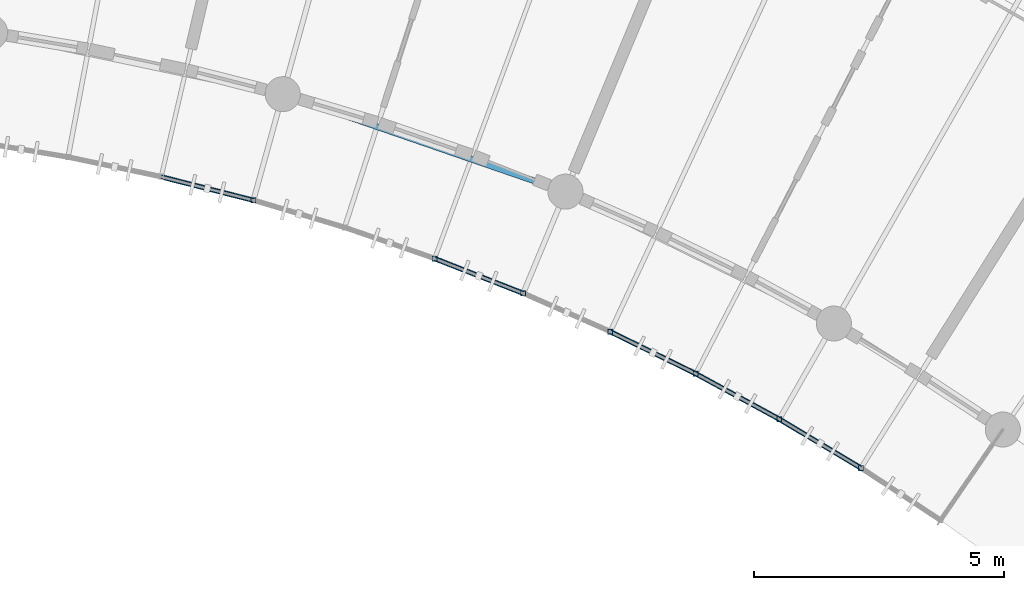
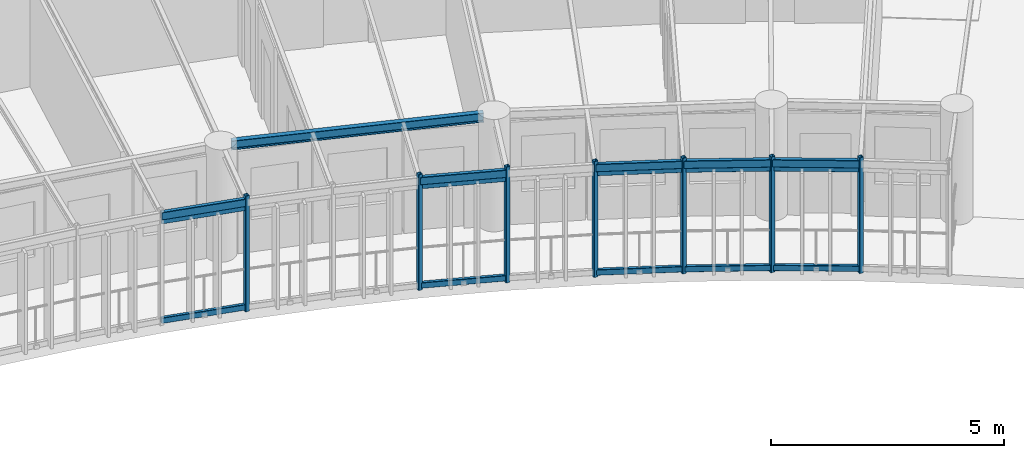
# One storey, part 64 of 137: 17 members, 6 beams.
"""IFC4 building model written with IfcOpenShell, lengths in metres."""

from ifc_helpers import new_model, si_unit, direction, frame, origin, origin_2d, place, context, subcontext, project, spatial, hollow_rectangle, i_section, extrude, material, material_profile, profile_set, type_object, element, save


model = new_model("IFC4")

# Units and contexts
model_context = context("Model", 3, precision=1e-05, world=origin(), true_north=direction((0.0, 1.0)))
body_context = subcontext(model_context, "Body", "Model", "MODEL_VIEW")
ifc_project = project(units=[si_unit("LENGTHUNIT", "METRE"), si_unit("AREAUNIT", "SQUARE_METRE"), si_unit("VOLUMEUNIT", "CUBIC_METRE"), si_unit("PLANEANGLEUNIT", "RADIAN"), si_unit("MASSUNIT", "GRAM", prefix="KILO"), si_unit("POWERUNIT", "WATT"), si_unit("THERMODYNAMICTEMPERATUREUNIT", "KELVIN")], contexts=[model_context])

# Site, building, storey
site_placement = place(None, origin())
site = spatial("IfcSite", under=ifc_project, at=site_placement, CompositionType="ELEMENT")
building_placement = place(site_placement, origin())
building = spatial("IfcBuilding", under=site, at=building_placement, Name="Ruvembo Vaulted Housing Court", CompositionType="ELEMENT")
storey_placement = place(building_placement, frame((0.0, 0.0, 4.5)))
storey = spatial("IfcBuildingStorey", under=building, at=storey_placement, Name="L01", CompositionType="ELEMENT", Elevation=4.5)

# Beams
ifc_material = material(Name="Steel S355J2", Category="steel")
ifc_material_profile_1 = material_profile(ifc_material, i_section(OverallWidth=0.1201171875, OverallDepth=0.239990234375, WebThickness=0.006103515625, FlangeThickness=0.009765625, FilletRadius=0.014892578125, at=origin_2d()), Name="IPE 240")
ifc_profile_set_1 = profile_set([ifc_material_profile_1], Name="Steel S355J2")
beam_type_1 = type_object("IfcBeamType", Name="BM-ST-IPE240", PredefinedType="BEAM", material=ifc_profile_set_1)
beam_placement = place(storey_placement, frame((130.01220703125, 96.188232421875, 2.822021484375), z_axis=(0.945373922745, -0.325987954063, 0.0), x_axis=(0.325987954063, 0.945373922745, 0.0)))
element("IfcBeam", 1, at=beam_placement, inside=storey, type_object=beam_type_1, Name="Scoop SC3 L01 Chord Girder F21", PredefinedType="BEAM", context=body_context, shape_type="SweptSolid", body=[
    extrude(i_section(OverallWidth=0.1201171875, OverallDepth=0.239990234375, WebThickness=0.006103515625, FlangeThickness=0.009765625, FilletRadius=0.014892578125, at=origin_2d()), origin(), (0.0, 0.0, 1.0), 5.513671875),
])
ifc_material_profile_2 = material_profile(ifc_material, hollow_rectangle(XDim=0.10009765625, YDim=0.199951171875, WallThickness=0.008056640625, InnerFilletRadius=0.008056640625, OuterFilletRadius=0.01611328125, at=origin_2d()), Name="RHS 200x100x8")
ifc_profile_set_2 = profile_set([ifc_material_profile_2], Name="Steel S355J2")
beam_type_2 = type_object("IfcBeamType", Name="BM-ST-RHS200", PredefinedType="SPANDREL", material=ifc_profile_set_2)
for number, where, z_axis, x_axis, name in (
    (2, (127.365966796875, 94.611572265625, 2.840087890625), (0.969121730429, -0.246582788553, 0.0), (0.246582788553, 0.969121730429, 0.0), "Scoop SC3 L01 Balcony Edge Spandrel 20"),
    (3, (132.826904296875, 92.978515625, 2.840087890625), (0.931005720133, -0.365004587752, 0.0), (0.365004587752, 0.931005720133, 0.0), "Scoop SC3 L01 Balcony Edge Spandrel 23"),
):
    element("IfcBeam", number, at=place(storey_placement, frame(where, z_axis=z_axis, x_axis=x_axis)), inside=storey, type_object=beam_type_2, Name=name, PredefinedType="SPANDREL", context=body_context, shape_type="SweptSolid", body=[
        extrude(hollow_rectangle(XDim=0.10009765625, YDim=0.199951171875, WallThickness=0.008056640625, InnerFilletRadius=0.008056640625, OuterFilletRadius=0.01611328125, at=origin_2d()), origin(), (0.0, 0.0, 1.0), 1.90087890625),
    ])
for number, where, z_axis, x_axis, name in (
    (4, (136.336181640625, 91.51806640625, 2.840087890625), (0.897513310314, -0.44098736695, 0.0), (0.44098736695, 0.897513310314, 0.0), "Scoop SC3 L01 Balcony Edge Spandrel 25"),
    (5, (138.04248046875, 90.6796875, 2.840087890625), (0.878513214386, -0.477718046706, 0.0), (0.477718046706, 0.878513214386, 0.0), "Scoop SC3 L01 Balcony Edge Spandrel 26"),
    (6, (139.712646484375, 89.771484375, 2.840087890625), (0.857889282303, -0.513834583607, 0.0), (0.513834583607, 0.857889282303, 0.0), "Scoop SC3 L01 Balcony Edge Spandrel 27"),
):
    element("IfcBeam", number, at=place(storey_placement, frame(where, z_axis=z_axis, x_axis=x_axis)), inside=storey, type_object=beam_type_2, Name=name, PredefinedType="SPANDREL", context=body_context, shape_type="SweptSolid", body=[
        extrude(hollow_rectangle(XDim=0.10009765625, YDim=0.199951171875, WallThickness=0.008056640625, InnerFilletRadius=0.008056640625, OuterFilletRadius=0.01611328125, at=origin_2d()), origin(), (0.0, 0.0, 1.0), 1.901123046875),
    ])

# Members
ifc_material_profile_3 = material_profile(ifc_material, hollow_rectangle(XDim=0.06005859375, YDim=0.1201171875, WallThickness=0.0048828125, InnerFilletRadius=0.0048828125, OuterFilletRadius=0.010009765625, at=origin_2d()), Name="RHS 120x60x5")
ifc_profile_set_3 = profile_set([ifc_material_profile_3], Name="Steel S355J2")
member_type_1 = type_object("IfcMemberType", Name="MEM-CAR-RHS120", PredefinedType="CHORD", material=ifc_profile_set_3)
for number, where, z_axis, x_axis, name in (
    (7, (127.365966796875, 94.611572265625, 2.68310546875), (0.969121730429, -0.246582788553, 0.0), (0.246582788553, 0.969121730429, 0.0), "Scoop SC3 L01 Upper Louvre Carrier Rail 20"),
    (8, (132.826904296875, 92.978515625, 2.68310546875), (0.931005720133, -0.365004587752, 0.0), (0.365004587752, 0.931005720133, 0.0), "Scoop SC3 L01 Upper Louvre Carrier Rail 23"),
):
    element("IfcMember", number, at=place(storey_placement, frame(where, z_axis=z_axis, x_axis=x_axis)), inside=storey, type_object=member_type_1, Name=name, PredefinedType="CHORD", context=body_context, shape_type="SweptSolid", body=[
        extrude(hollow_rectangle(XDim=0.06005859375, YDim=0.1201171875, WallThickness=0.0048828125, InnerFilletRadius=0.0048828125, OuterFilletRadius=0.010009765625, at=origin_2d()), origin(), (0.0, 0.0, 1.0), 1.90087890625),
    ])
for number, where, z_axis, x_axis, name in (
    (9, (136.336181640625, 91.51806640625, 2.68310546875), (0.897513310314, -0.44098736695, 0.0), (0.44098736695, 0.897513310314, 0.0), "Scoop SC3 L01 Upper Louvre Carrier Rail 25"),
    (10, (138.04248046875, 90.6796875, 2.68310546875), (0.878513214386, -0.477718046706, 0.0), (0.477718046706, 0.878513214386, 0.0), "Scoop SC3 L01 Upper Louvre Carrier Rail 26"),
    (11, (139.712646484375, 89.771484375, 2.68310546875), (0.857889282303, -0.513834583607, 0.0), (0.513834583607, 0.857889282303, 0.0), "Scoop SC3 L01 Upper Louvre Carrier Rail 27"),
):
    element("IfcMember", number, at=place(storey_placement, frame(where, z_axis=z_axis, x_axis=x_axis)), inside=storey, type_object=member_type_1, Name=name, PredefinedType="CHORD", context=body_context, shape_type="SweptSolid", body=[
        extrude(hollow_rectangle(XDim=0.06005859375, YDim=0.1201171875, WallThickness=0.0048828125, InnerFilletRadius=0.0048828125, OuterFilletRadius=0.010009765625, at=origin_2d()), origin(), (0.0, 0.0, 1.0), 1.901123046875),
    ])
ifc_material_profile_4 = material_profile(ifc_material, hollow_rectangle(XDim=0.080078125, YDim=0.14990234375, WallThickness=0.00634765625, InnerFilletRadius=0.00634765625, OuterFilletRadius=0.0126953125, at=origin_2d()), Name="RHS 150x80x6.3")
ifc_profile_set_4 = profile_set([ifc_material_profile_4], Name="Steel S355J2")
member_type_2 = type_object("IfcMemberType", Name="MEM-CAR-RHS150", PredefinedType="CHORD", material=ifc_profile_set_4)
for number, where, z_axis, x_axis, name in (
    (12, (127.365966796875, 94.611572265625, 0.094970703125), (0.969121730429, -0.246582788553, 0.0), (0.246582788553, 0.969121730429, 0.0), "Scoop SC3 L01 Lower Louvre Carrier Rail 20"),
    (13, (132.826904296875, 92.978515625, 0.094970703125), (0.931005720133, -0.365004587752, 0.0), (0.365004587752, 0.931005720133, 0.0), "Scoop SC3 L01 Lower Louvre Carrier Rail 23"),
):
    element("IfcMember", number, at=place(storey_placement, frame(where, z_axis=z_axis, x_axis=x_axis)), inside=storey, type_object=member_type_2, Name=name, PredefinedType="CHORD", context=body_context, shape_type="SweptSolid", body=[
        extrude(hollow_rectangle(XDim=0.080078125, YDim=0.14990234375, WallThickness=0.00634765625, InnerFilletRadius=0.00634765625, OuterFilletRadius=0.0126953125, at=origin_2d()), origin(), (0.0, 0.0, 1.0), 1.90087890625),
    ])
for number, where, z_axis, x_axis, name in (
    (14, (136.336181640625, 91.51806640625, 0.094970703125), (0.897513310314, -0.44098736695, 0.0), (0.44098736695, 0.897513310314, 0.0), "Scoop SC3 L01 Lower Louvre Carrier Rail 25"),
    (15, (138.04248046875, 90.6796875, 0.094970703125), (0.878513214386, -0.477718046706, 0.0), (0.477718046706, 0.878513214386, 0.0), "Scoop SC3 L01 Lower Louvre Carrier Rail 26"),
    (16, (139.712646484375, 89.771484375, 0.094970703125), (0.857889282303, -0.513834583607, 0.0), (0.513834583607, 0.857889282303, 0.0), "Scoop SC3 L01 Lower Louvre Carrier Rail 27"),
):
    element("IfcMember", number, at=place(storey_placement, frame(where, z_axis=z_axis, x_axis=x_axis)), inside=storey, type_object=member_type_2, Name=name, PredefinedType="CHORD", context=body_context, shape_type="SweptSolid", body=[
        extrude(hollow_rectangle(XDim=0.080078125, YDim=0.14990234375, WallThickness=0.00634765625, InnerFilletRadius=0.00634765625, OuterFilletRadius=0.0126953125, at=origin_2d()), origin(), (0.0, 0.0, 1.0), 1.901123046875),
    ])
ifc_material_profile_5 = material_profile(ifc_material, hollow_rectangle(XDim=0.10009765625, YDim=0.10009765625, WallThickness=0.00634765625, InnerFilletRadius=0.00634765625, OuterFilletRadius=0.0126953125, at=origin_2d()), Name="SHS 100x100x6.3")
ifc_profile_set_5 = profile_set([ifc_material_profile_5], Name="Steel S355J2")
member_type_3 = type_object("IfcMemberType", Name="MEM-FRM-SHS100", PredefinedType="STRUT", material=ifc_profile_set_5)
for number, where, z_axis, x_axis, name in (
    (17, (129.208251953125, 94.142822265625, -0.014892578125), (0.0, 0.0, 1.0), (1.0, 0.0, 0.0), "Scoop SC3 L01 Louvre Frame Post 21"),
    (18, (132.826904296875, 92.978515625, -0.014892578125), (0.0, 0.0, 1.0), (1.0, 0.0, 0.0), "Scoop SC3 L01 Louvre Frame Post 23"),
    (19, (134.5966796875, 92.28466796875, -0.014892578125), (0.0, 0.0, 1.0), (1.0, 0.0, 0.0), "Scoop SC3 L01 Louvre Frame Post 24"),
    (20, (136.336181640625, 91.51806640625, -0.014892578125), (0.0, 0.0, 1.0), (1.0, 0.0, 0.0), "Scoop SC3 L01 Louvre Frame Post 25"),
    (21, (138.04248046875, 90.6796875, -0.014892578125), (0.0, 0.0, 1.0), (1.0, 0.0, 0.0), "Scoop SC3 L01 Louvre Frame Post 26"),
    (22, (139.712646484375, 89.771484375, -0.014892578125), (0.0, 0.0, 1.0), (1.0, 0.0, 0.0), "Scoop SC3 L01 Louvre Frame Post 27"),
    (23, (141.343505859375, 88.794677734375, -0.014892578125), (0.0, 0.0, 1.0), (1.0, 0.0, 0.0), "Scoop SC3 L01 Louvre Frame Post 28"),
):
    element("IfcMember", number, at=place(storey_placement, frame(where, z_axis=z_axis, x_axis=x_axis)), inside=storey, type_object=member_type_3, Name=name, PredefinedType="STRUT", context=body_context, shape_type="SweptSolid", body=[
        extrude(hollow_rectangle(XDim=0.10009765625, YDim=0.10009765625, WallThickness=0.00634765625, InnerFilletRadius=0.00634765625, OuterFilletRadius=0.0126953125, at=origin_2d()), origin(), (0.0, 0.0, 1.0), 3.032958984375),
    ])

save(model, "model.ifc")
